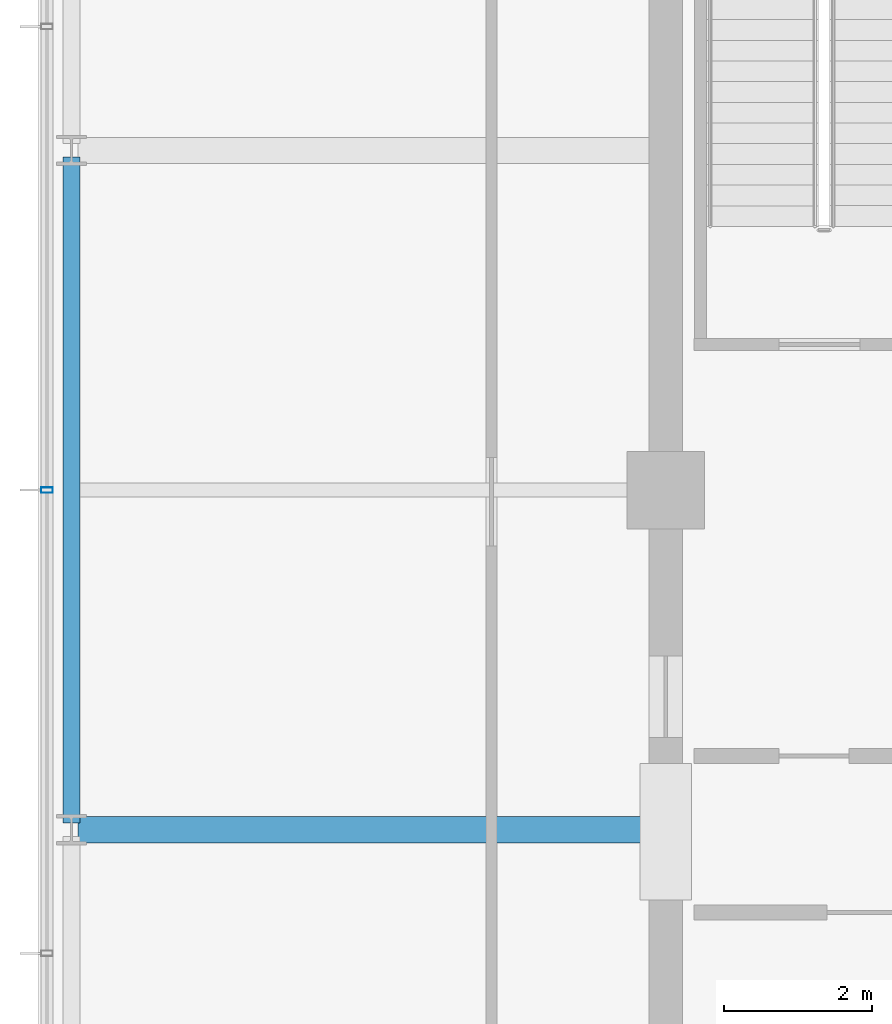
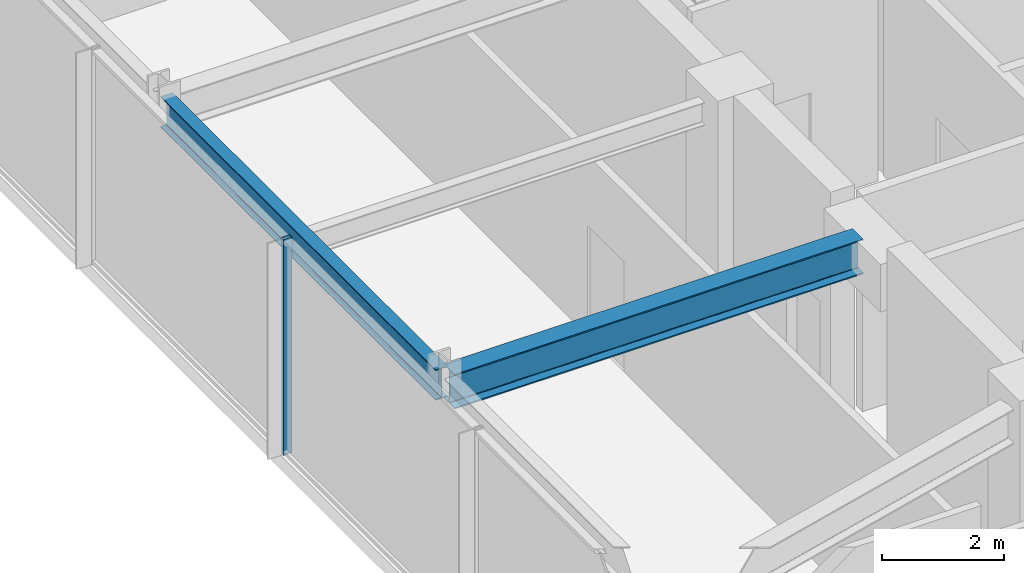
# One storey, part 7 of 30: 2 beams, 1 member, 1 element without a shape of its own.
"""IFC4 building model written with IfcOpenShell, lengths in metres."""

from ifc_helpers import new_model, si_unit, direction, frame, origin, origin_2d, place, context, subcontext, project, spatial, hollow_rectangle, i_section, extrude, material, material_profile, profile_set, type_object, element, aggregate, save


model = new_model("IFC4")

# Units and contexts
model_context = context("Model", 3, precision=1e-05, world=origin(), true_north=direction((0.0, 1.0)))
body_context = subcontext(model_context, "Body", "Model", "MODEL_VIEW")
ifc_project = project(units=[si_unit("LENGTHUNIT", "METRE"), si_unit("AREAUNIT", "SQUARE_METRE"), si_unit("VOLUMEUNIT", "CUBIC_METRE"), si_unit("PLANEANGLEUNIT", "RADIAN"), si_unit("MASSUNIT", "GRAM", prefix="KILO")], contexts=[model_context])

# Site, building, storey
site_placement = place(None, origin())
site = spatial("IfcSite", under=ifc_project, at=site_placement, CompositionType="ELEMENT")
building_placement = place(site_placement, origin())
building = spatial("IfcBuilding", under=site, at=building_placement, Name="Kolvaren Belvedere", CompositionType="ELEMENT")
storey_placement = place(building_placement, frame((0.0, 0.0, 262.800048828125)))
storey = spatial("IfcBuildingStorey", under=building, at=storey_placement, Name="L76", CompositionType="ELEMENT", Elevation=262.800048828125)

# Beams
ifc_material_1 = material(Name="Structural steel ASTM A992 Grade 50", Category="steel")
ifc_material_profile_1 = material_profile(ifc_material_1, i_section(OverallWidth=0.35498046875, OverallDepth=0.696044921875, WebThickness=0.015380859375, FlangeThickness=0.02490234375, FilletRadius=0.02197265625, at=origin_2d()), Name="W27X146")
ifc_profile_set_1 = profile_set([ifc_material_profile_1], Name="Structural steel ASTM A992 Grade 50")
beam_type_1 = type_object("IfcBeamType", Name="BM-GIRD-W27X146", PredefinedType="BEAM", material=ifc_profile_set_1)
beam_1_placement = place(storey_placement, frame((-10.125, -4.60009765625, 3.971923828125), z_axis=(-1.0, 0.0, 0.0), x_axis=(0.0, -1.0, 0.0)))
element("IfcBeam", 1, at=beam_1_placement, inside=storey, type_object=beam_type_1, Name="L76 West Radial Girder M", PredefinedType="BEAM", context=body_context, shape_type="SweptSolid", body=[
    extrude(i_section(OverallWidth=0.35498046875, OverallDepth=0.696044921875, WebThickness=0.015380859375, FlangeThickness=0.02490234375, FilletRadius=0.02197265625, at=origin_2d()), origin(), (0.0, 0.0, 1.0), 7.7333984375),
])
ifc_material_2 = material(Name="Structural steel ASTM A992 Grade 50", Category="steel")
ifc_material_profile_2 = material_profile(ifc_material_2, i_section(OverallWidth=0.22900390625, OverallDepth=0.612060546875, WebThickness=0.011962890625, FlangeThickness=0.01953125, FilletRadius=0.01806640625, at=origin_2d()), Name="W24X84")
ifc_profile_set_2 = profile_set([ifc_material_profile_2], Name="Structural steel ASTM A992 Grade 50")
beam_type_2 = type_object("IfcBeamType", Name="BM-SPAN-W24X84", PredefinedType="SPANDREL", material=ifc_profile_set_2)
beam_2_placement = place(storey_placement, frame((-17.949951171875, 4.50830078125, 4.013916015625), z_axis=(0.0, -1.0, 0.0), x_axis=(1.0, 0.0, 0.0)))
element("IfcBeam", 2, at=beam_2_placement, inside=storey, type_object=beam_type_2, Name="L76 Perimeter Spandrel W3-W2", PredefinedType="SPANDREL", context=body_context, shape_type="SweptSolid", body=[
    extrude(i_section(OverallWidth=0.22900390625, OverallDepth=0.612060546875, WebThickness=0.011962890625, FlangeThickness=0.01953125, FilletRadius=0.01806640625, at=origin_2d()), origin(), (0.0, 0.0, 1.0), 9.0166015625),
])

# Curtain wall, member
ifc_material_3 = material(Name="Anodised pale-metal aluminium AA 6063-T6", Category="aluminium")
curtain_wall_type = type_object("IfcCurtainWallType", Name="CW-CRN-OBS", PredefinedType="NOTDEFINED", material=ifc_material_3)
curtain_wall_placement = place(storey_placement, origin())
curtain_wall = element("IfcCurtainWall", 3, at=curtain_wall_placement, inside=storey, type_object=curtain_wall_type, Name="L76 Unitised Curtain Wall FCW-L76-W", PredefinedType="NOTDEFINED")
ifc_material_4 = material(Name="Anodised pale-metal aluminium AA 6063-T6", Category="aluminium")
ifc_material_profile_3 = material_profile(ifc_material_4, hollow_rectangle(XDim=0.074951171875, YDim=0.159912109375, WallThickness=0.00439453125, at=origin_2d()), Name="ALU-MUL-160X75")
ifc_profile_set_3 = profile_set([ifc_material_profile_3], Name="Anodised pale-metal aluminium AA 6063-T6")
member_type = type_object("IfcMemberType", Name="CW-MUL-160", PredefinedType="MULLION", material=ifc_profile_set_3)
member_placement = place(storey_placement, frame((-18.280029296875, 0.0, 0.0), z_axis=(0.0, 0.0, 1.0), x_axis=(0.0, 1.0, 0.0)))
member = element("IfcMember", 4, at=member_placement, type_object=member_type, Name="FCW-L76-W Unitised Mullion 3", PredefinedType="MULLION", context=body_context, shape_type="SweptSolid", body=[
    extrude(hollow_rectangle(XDim=0.074951171875, YDim=0.159912109375, WallThickness=0.00439453125, at=origin_2d()), origin(), (0.0, 0.0, 1.0), 4.320068359375),
])
aggregate(curtain_wall, [member])

save(model, "model.ifc")
